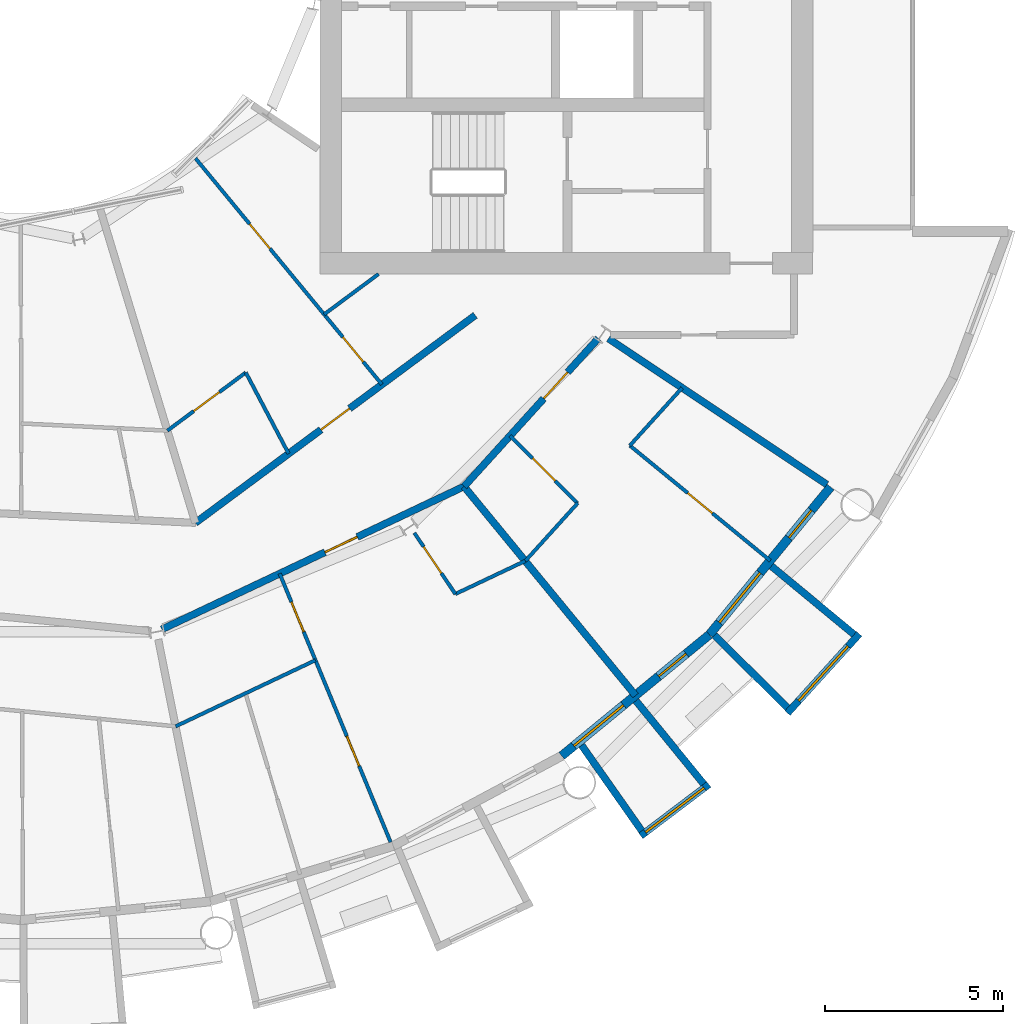
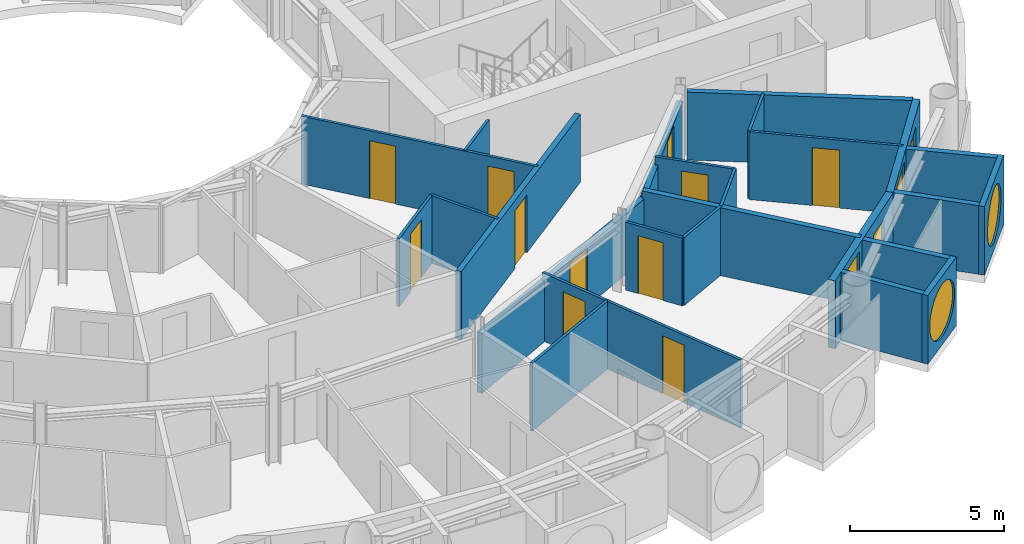
# One storey, part 17 of 27: 25 walls, 13 doors, 4 windows, 17 openings.
"""IFC4 building model written with IfcOpenShell, lengths in metres."""

from ifc_helpers import new_model, si_unit, direction, frame, frame_2d, origin, place, context, subcontext, project, spatial, rectangle, circle, extrude, material, layer, layer_set, type_object, element, fill, save


model = new_model("IFC4")

# Units and contexts
model_context = context("Model", 3, precision=1e-05, world=origin(), true_north=direction((0.0, 1.0)))
body_context = subcontext(model_context, "Body", "Model", "MODEL_VIEW")
ifc_project = project(units=[si_unit("LENGTHUNIT", "METRE"), si_unit("AREAUNIT", "SQUARE_METRE"), si_unit("VOLUMEUNIT", "CUBIC_METRE"), si_unit("PLANEANGLEUNIT", "RADIAN"), si_unit("MASSUNIT", "GRAM", prefix="KILO")], contexts=[model_context])

# Site, building, storey
site_placement = place(None, origin())
site = spatial("IfcSite", under=ifc_project, at=site_placement, CompositionType="ELEMENT")
building_placement = place(site_placement, origin())
building = spatial("IfcBuilding", under=site, at=building_placement, Name="Maasbend Ring Residences", CompositionType="ELEMENT")
storey_placement = place(building_placement, frame((0.0, 0.0, 114.699951171875)))
storey = spatial("IfcBuildingStorey", under=building, at=storey_placement, Name="L32", CompositionType="ELEMENT", Elevation=114.699951171875)

# Wall, opening, door
ifc_material_1 = material(Name="Concrete C30/37", Category="concrete")
ifc_layer_1 = layer(ifc_material_1, 0.199951171875)
ifc_layer_set_1 = layer_set([ifc_layer_1], Name="Concrete C30/37")
wall_type_1 = type_object("IfcWallType", Name="CORRIDOR WALL 200 CONCRETE", PredefinedType="PARTITIONING", material=ifc_layer_set_1)
wall_1_placement = place(storey_placement, frame((12.43408203125, -15.15087890625, 0.0), z_axis=(0.0, 0.0, 1.0), x_axis=(0.671481997275, 0.741020868354, 0.0)))
wall_1 = element("IfcWall", 1, at=wall_1_placement, inside=storey, type_object=wall_type_1, Name="U-L32-w011", PredefinedType="PARTITIONING", context=body_context, shape_type="SweptSolid", body=[
    extrude(rectangle(XDim=5.59619140625, YDim=0.199951171875, at=frame_2d((2.798095703125, 0.0))), origin(), (0.0, 0.0, 1.0), 2.39013671875),
])
opening_1_placement = place(wall_1_placement, frame((3.319091796875, 0.0, 0.0)))
opening_1 = element("IfcOpeningElement", 2, at=opening_1_placement, cuts=wall_1, Name="Opening D-3251", PredefinedType="OPENING", context=body_context, shape_type="SweptSolid", body=[
    extrude(rectangle(XDim=1.0, YDim=2.300048828125, at=frame_2d((0.5, 1.14990234375))), frame((0.0, 0.10986328125, 0.0), z_axis=(0.0, -1.0, 0.0), x_axis=(1.0, 0.0, 0.0)), (0.0, 0.0, 1.0), 0.219970703125),
])
ifc_material_2 = material(Name="Timber, fire-rated, painted", Category="wood")
door_type_1 = type_object("IfcDoorType", Name="FLAT ENTRANCE DOOR 1000 X 2300 FIRE-RATED", OperationType="NOTDEFINED", PredefinedType="DOOR", material=ifc_material_2)
door_1_placement = place(opening_1_placement, origin())
door_1 = element("IfcDoor", 3, at=door_1_placement, inside=storey, type_object=door_type_1, Name="D-3251", OperationType="SINGLE_SWING_RIGHT", OverallHeight=2.300048828125, OverallWidth=1.0, PredefinedType="DOOR", context=body_context, shape_type="SweptSolid", body=[
    extrude(rectangle(XDim=1.0, YDim=2.300048828125, at=frame_2d((0.5, 1.14990234375))), frame((0.0, 0.02490234375, 0.0), z_axis=(0.0, -1.0, 0.0), x_axis=(1.0, 0.0, 0.0)), (0.0, 0.0, 1.0), 0.050048828125),
])
fill(opening_1, door_1)

wall_2_placement = place(storey_placement, frame((3.967041015625, -19.155029296875, 0.0), z_axis=(0.0, 0.0, 1.0), x_axis=(0.904003983145, 0.427524032609, 0.0)))
wall_2 = element("IfcWall", 4, at=wall_2_placement, inside=storey, type_object=wall_type_1, Name="U-L32-w012", PredefinedType="PARTITIONING", context=body_context, shape_type="SweptSolid", body=[
    extrude(rectangle(XDim=9.370361328125, YDim=0.199951171875, at=frame_2d((4.68505859375, 0.0))), origin(), (0.0, 0.0, 1.0), 2.39013671875),
])
opening_2_placement = place(wall_2_placement, frame((5.055908203125, 0.0, 0.0)))
opening_2 = element("IfcOpeningElement", 5, at=opening_2_placement, cuts=wall_2, Name="Opening D-3246", PredefinedType="OPENING", context=body_context, shape_type="SweptSolid", body=[
    extrude(rectangle(XDim=1.0, YDim=2.300048828125, at=frame_2d((0.5, 1.14990234375))), frame((0.0, 0.10986328125, 0.0), z_axis=(0.0, -1.0, 0.0), x_axis=(1.0, 0.0, 0.0)), (0.0, 0.0, 1.0), 0.219970703125),
])
door_2_placement = place(opening_2_placement, origin())
door_2 = element("IfcDoor", 6, at=door_2_placement, inside=storey, type_object=door_type_1, Name="D-3246", OperationType="SINGLE_SWING_RIGHT", OverallHeight=2.300048828125, OverallWidth=1.0, PredefinedType="DOOR", context=body_context, shape_type="SweptSolid", body=[
    extrude(rectangle(XDim=1.0, YDim=2.300048828125, at=frame_2d((0.5, 1.14990234375))), frame((0.0, 0.02490234375, 0.0), z_axis=(0.0, -1.0, 0.0), x_axis=(1.0, 0.0, 0.0)), (0.0, 0.0, 1.0), 0.050048828125),
])
fill(opening_2, door_2)

wall_3_placement = place(storey_placement, frame((4.906005859375, -16.172119140625, 0.0), z_axis=(0.0, 0.0, 1.0), x_axis=(0.803191461888, 0.595720971219, 0.0)))
wall_3 = element("IfcWall", 7, at=wall_3_placement, inside=storey, type_object=wall_type_1, Name="U-L32-w017", PredefinedType="PARTITIONING", context=body_context, shape_type="SweptSolid", body=[
    extrude(rectangle(XDim=9.760009765625, YDim=0.199951171875, at=frame_2d((4.8798828125, 0.0))), origin(), (0.0, 0.0, 1.0), 2.699951171875),
])
opening_3_placement = place(wall_3_placement, frame((4.3798828125, 0.0, 0.0)))
opening_3 = element("IfcOpeningElement", 8, at=opening_3_placement, cuts=wall_3, Name="Opening D-3263", PredefinedType="OPENING", context=body_context, shape_type="SweptSolid", body=[
    extrude(rectangle(XDim=1.0, YDim=2.300048828125, at=frame_2d((0.5, 1.14990234375))), frame((0.0, 0.10986328125, 0.0), z_axis=(0.0, -1.0, 0.0), x_axis=(1.0, 0.0, 0.0)), (0.0, 0.0, 1.0), 0.219970703125),
])
door_3_placement = place(opening_3_placement, origin())
door_3 = element("IfcDoor", 9, at=door_3_placement, inside=storey, type_object=door_type_1, Name="D-3263", OperationType="SINGLE_SWING_LEFT", OverallHeight=2.300048828125, OverallWidth=1.0, PredefinedType="DOOR", context=body_context, shape_type="SweptSolid", body=[
    extrude(rectangle(XDim=1.0, YDim=2.300048828125, at=frame_2d((0.5, 1.14990234375))), frame((0.0, 0.02490234375, 0.0), z_axis=(0.0, -1.0, 0.0), x_axis=(1.0, 0.0, 0.0)), (0.0, 0.0, 1.0), 0.050048828125),
])
fill(opening_3, door_3)

# Wall, opening, window
ifc_material_3 = material(Name="Pale anodised aluminium panel", Category="aluminium")
ifc_layer_2 = layer(ifc_material_3, 0.199951171875)
ifc_layer_set_2 = layer_set([ifc_layer_2], Name="EW-BOX")
wall_type_2 = type_object("IfcWallType", Name="EW-BOX", PredefinedType="SOLIDWALL", material=ifc_layer_set_2)
wall_4_placement = place(storey_placement, frame((17.382080078125, -24.93994140625, -0.030029296875), z_axis=(0.0, 0.0, 1.0), x_axis=(0.797456837111, 0.603375996329, 0.0)))
wall_4 = element("IfcWall", 10, at=wall_4_placement, inside=storey, type_object=wall_type_2, Name="Box front S17", PredefinedType="SOLIDWALL", context=body_context, shape_type="SweptSolid", body=[
    extrude(rectangle(XDim=2.391357421875, YDim=0.199951171875, at=frame_2d((1.19580078125, 0.0))), origin(), (0.0, 0.0, 1.0), 2.72998046875),
])
opening_4_placement = place(wall_4_placement, frame((0.15576171875, 0.0, 0.330078125)))
opening_4 = element("IfcOpeningElement", 11, at=opening_4_placement, cuts=wall_4, Name="Opening W-RD", PredefinedType="OPENING", context=body_context, shape_type="SweptSolid", body=[
    extrude(circle(Radius=1.0400390625, at=frame_2d((1.0400390625, 1.0400390625))), frame((0.0, 0.10986328125, 0.0), z_axis=(0.0, -1.0, 0.0), x_axis=(1.0, 0.0, 0.0)), (0.0, 0.0, 1.0), 0.219970703125),
])
ifc_material_4 = material(Name="Aluminium and clear glass", Category="aluminium")
window_type_1 = type_object("IfcWindowType", Name="W-RD", PartitioningType="SINGLE_PANEL", PredefinedType="WINDOW", material=ifc_material_4)
window_1_placement = place(opening_4_placement, origin())
window_1 = element("IfcWindow", 12, at=window_1_placement, inside=storey, type_object=window_type_1, Name="Round window S17", OverallHeight=2.080078125, OverallWidth=2.080078125, PartitioningType="SINGLE_PANEL", PredefinedType="WINDOW", context=body_context, shape_type="SweptSolid", body=[
    extrude(circle(Radius=1.0400390625, at=frame_2d((1.0400390625, 1.0400390625))), frame((0.0, 0.030029296875, 0.0), z_axis=(0.0, -1.0, 0.0), x_axis=(1.0, 0.0, 0.0)), (0.0, 0.0, 1.0), 0.06005859375),
])
fill(opening_4, window_1)

# Walls
wall_5_placement = place(storey_placement, frame((15.72607421875, -22.402099609375, -0.030029296875), z_axis=(0.0, 0.0, 1.0), x_axis=(0.574826383135, -0.818275399393, 0.0)))
element("IfcWall", 13, at=wall_5_placement, inside=storey, type_object=wall_type_2, Name="Box side wall S17 left", PredefinedType="SOLIDWALL", context=body_context, shape_type="SweptSolid", body=[
    extrude(rectangle(XDim=2.92919921875, YDim=0.199951171875, at=frame_2d((1.464599609375, 0.0))), origin(), (0.0, 0.0, 1.0), 2.72998046875),
])
wall_6_placement = place(storey_placement, frame((17.24609375, -21.155029296875, -0.030029296875), z_axis=(0.0, 0.0, 1.0), x_axis=(0.631741648902, -0.775179004516, 0.0)))
element("IfcWall", 14, at=wall_6_placement, inside=storey, type_object=wall_type_2, Name="Box side wall S17 right", PredefinedType="SOLIDWALL", context=body_context, shape_type="SweptSolid", body=[
    extrude(rectangle(XDim=3.005859375, YDim=0.199951171875, at=frame_2d((1.5029296875, 0.0))), origin(), (0.0, 0.0, 1.0), 2.72998046875),
])

# Wall, opening, window
wall_7_placement = place(storey_placement, frame((21.492919921875, -21.5, -0.030029296875), z_axis=(0.0, 0.0, 1.0), x_axis=(0.671506829416, 0.740998365753, 0.0)))
wall_7 = element("IfcWall", 15, at=wall_7_placement, inside=storey, type_object=wall_type_2, Name="Box front S19", PredefinedType="SOLIDWALL", context=body_context, shape_type="SweptSolid", body=[
    extrude(rectangle(XDim=2.9931640625, YDim=0.199951171875, at=frame_2d((1.49658203125, 0.0))), origin(), (0.0, 0.0, 1.0), 2.72998046875),
])
opening_5_placement = place(wall_7_placement, frame((0.45654296875, 0.0, 0.330078125)))
opening_5 = element("IfcOpeningElement", 16, at=opening_5_placement, cuts=wall_7, Name="Opening W-RD", PredefinedType="OPENING", context=body_context, shape_type="SweptSolid", body=[
    extrude(circle(Radius=1.0400390625, at=frame_2d((1.0400390625, 1.0400390625))), frame((0.0, 0.10986328125, 0.0), z_axis=(0.0, -1.0, 0.0), x_axis=(1.0, 0.0, 0.0)), (0.0, 0.0, 1.0), 0.219970703125),
])
window_2_placement = place(opening_5_placement, origin())
window_2 = element("IfcWindow", 17, at=window_2_placement, inside=storey, type_object=window_type_1, Name="Round window S19", OverallHeight=2.080078125, OverallWidth=2.080078125, PartitioningType="SINGLE_PANEL", PredefinedType="WINDOW", context=body_context, shape_type="SweptSolid", body=[
    extrude(circle(Radius=1.0400390625, at=frame_2d((1.0400390625, 1.0400390625))), frame((0.0, 0.030029296875, 0.0), z_axis=(0.0, -1.0, 0.0), x_axis=(1.0, 0.0, 0.0)), (0.0, 0.0, 1.0), 0.06005859375),
])
fill(opening_5, window_2)

# Walls
wall_8_placement = place(storey_placement, frame((19.449951171875, -19.322998046875, -0.030029296875), z_axis=(0.0, 0.0, 1.0), x_axis=(0.709727076896, -0.704476739375, 0.0)))
element("IfcWall", 18, at=wall_8_placement, inside=storey, type_object=wall_type_2, Name="Box side wall S19 left", PredefinedType="SOLIDWALL", context=body_context, shape_type="SweptSolid", body=[
    extrude(rectangle(XDim=2.883056640625, YDim=0.199951171875, at=frame_2d((1.44140625, 0.0))), origin(), (0.0, 0.0, 1.0), 2.72998046875),
])
wall_9_placement = place(storey_placement, frame((21.041015625, -17.384033203125, -0.030029296875), z_axis=(0.0, 0.0, 1.0), x_axis=(0.770784861449, -0.63709551667, 0.0)))
element("IfcWall", 19, at=wall_9_placement, inside=storey, type_object=wall_type_2, Name="Box side wall S19 right", PredefinedType="SOLIDWALL", context=body_context, shape_type="SweptSolid", body=[
    extrude(rectangle(XDim=3.005859375, YDim=0.199951171875, at=frame_2d((1.5029296875, 0.0))), origin(), (0.0, 0.0, 1.0), 2.72998046875),
])

# Wall, openings, door, window
ifc_material_5 = material(Name="Aluminium clad insulated panel", Category="aluminium")
ifc_layer_3 = layer(ifc_material_5, 0.25)
ifc_layer_set_3 = layer_set([ifc_layer_3], Name="EW-GL")
wall_type_3 = type_object("IfcWallType", Name="EW-GL", PredefinedType="SOLIDWALL", material=ifc_layer_set_3)
wall_10_placement = place(storey_placement, frame((15.1669921875, -22.698974609375, 0.0), z_axis=(0.0, 0.0, 1.0), x_axis=(0.773019449054, 0.634382322723, 0.0)))
wall_10 = element("IfcWall", 20, at=wall_10_placement, inside=storey, type_object=wall_type_3, Name="External wall S09", PredefinedType="SOLIDWALL", context=body_context, shape_type="SweptSolid", body=[
    extrude(rectangle(XDim=5.351806640625, YDim=0.25, at=frame_2d((2.67578125, 0.0))), origin(), (0.0, 0.0, 1.0), 2.699951171875),
])
opening_6_placement = place(wall_10_placement, frame((0.441162109375, 0.0, 0.300048828125)))
opening_6 = element("IfcOpeningElement", 21, at=opening_6_placement, cuts=wall_10, Name="Opening W-BX", PredefinedType="OPENING", context=body_context, shape_type="SweptSolid", body=[
    extrude(rectangle(XDim=1.800048828125, YDim=2.10009765625, at=frame_2d((0.89990234375, 1.050048828125))), frame((0.0, 0.135009765625, 0.0), z_axis=(0.0, -1.0, 0.0), x_axis=(1.0, 0.0, 0.0)), (0.0, 0.0, 1.0), 0.27001953125),
])
opening_7_placement = place(wall_10_placement, frame((3.510498046875, 0.0, 0.0)))
opening_7 = element("IfcOpeningElement", 22, at=opening_7_placement, cuts=wall_10, Name="Opening D-LG", PredefinedType="OPENING", context=body_context, shape_type="SweptSolid", body=[
    extrude(rectangle(XDim=1.0, YDim=2.199951171875, at=frame_2d((0.5, 1.10009765625))), frame((0.0, 0.135009765625, 0.0), z_axis=(0.0, -1.0, 0.0), x_axis=(1.0, 0.0, 0.0)), (0.0, 0.0, 1.0), 0.27001953125),
])
ifc_material_6 = material(Name="Aluminium and clear glass", Category="aluminium")
door_type_2 = type_object("IfcDoorType", Name="D-LG", OperationType="SINGLE_SWING_LEFT", PredefinedType="DOOR", material=ifc_material_6)
door_4_placement = place(opening_7_placement, origin())
door_4 = element("IfcDoor", 23, at=door_4_placement, inside=storey, type_object=door_type_2, Name="Loggia door S18", OperationType="SINGLE_SWING_LEFT", OverallHeight=2.199951171875, OverallWidth=1.0, PredefinedType="DOOR", context=body_context, shape_type="SweptSolid", body=[
    extrude(rectangle(XDim=1.0, YDim=2.199951171875, at=frame_2d((0.5, 1.10009765625))), frame((0.0, 0.02490234375, 0.0), z_axis=(0.0, -1.0, 0.0), x_axis=(1.0, 0.0, 0.0)), (0.0, 0.0, 1.0), 0.050048828125),
])
fill(opening_7, door_4)
ifc_material_7 = material(Name="Aluminium and clear glass", Category="aluminium")
window_type_2 = type_object("IfcWindowType", Name="W-BX", PartitioningType="DOUBLE_PANEL_VERTICAL", PredefinedType="WINDOW", material=ifc_material_7)
window_3_placement = place(opening_6_placement, origin())
window_3 = element("IfcWindow", 24, at=window_3_placement, inside=storey, type_object=window_type_2, Name="Window S17 room to box", OverallHeight=2.10009765625, OverallWidth=1.800048828125, PartitioningType="SINGLE_PANEL", PredefinedType="WINDOW", context=body_context, shape_type="SweptSolid", body=[
    extrude(rectangle(XDim=1.800048828125, YDim=2.10009765625, at=frame_2d((0.89990234375, 1.050048828125))), frame((0.0, 0.030029296875, 0.0), z_axis=(0.0, -1.0, 0.0), x_axis=(1.0, 0.0, 0.0)), (0.0, 0.0, 1.0), 0.06005859375),
])
fill(opening_6, window_3)

wall_11_placement = place(storey_placement, frame((19.303955078125, -19.303955078125, 0.0), z_axis=(0.0, 0.0, 1.0), x_axis=(0.634382322723, 0.773019449054, 0.0)))
wall_11 = element("IfcWall", 25, at=wall_11_placement, inside=storey, type_object=wall_type_3, Name="External wall S10", PredefinedType="SOLIDWALL", context=body_context, shape_type="SweptSolid", body=[
    extrude(rectangle(XDim=5.351806640625, YDim=0.25, at=frame_2d((2.67578125, 0.0))), origin(), (0.0, 0.0, 1.0), 2.699951171875),
])
opening_8_placement = place(wall_11_placement, frame((0.441162109375, 0.0, 0.300048828125)))
opening_8 = element("IfcOpeningElement", 26, at=opening_8_placement, cuts=wall_11, Name="Opening W-BX", PredefinedType="OPENING", context=body_context, shape_type="SweptSolid", body=[
    extrude(rectangle(XDim=1.800048828125, YDim=2.10009765625, at=frame_2d((0.89990234375, 1.050048828125))), frame((0.0, 0.135009765625, 0.0), z_axis=(0.0, -1.0, 0.0), x_axis=(1.0, 0.0, 0.0)), (0.0, 0.0, 1.0), 0.27001953125),
])
opening_9_placement = place(wall_11_placement, frame((3.510498046875, 0.0, 0.0)))
opening_9 = element("IfcOpeningElement", 27, at=opening_9_placement, cuts=wall_11, Name="Opening D-LG", PredefinedType="OPENING", context=body_context, shape_type="SweptSolid", body=[
    extrude(rectangle(XDim=1.0, YDim=2.199951171875, at=frame_2d((0.5, 1.10009765625))), frame((0.0, 0.135009765625, 0.0), z_axis=(0.0, -1.0, 0.0), x_axis=(1.0, 0.0, 0.0)), (0.0, 0.0, 1.0), 0.27001953125),
])
door_5_placement = place(opening_9_placement, origin())
door_5 = element("IfcDoor", 28, at=door_5_placement, inside=storey, type_object=door_type_2, Name="Loggia door S20", OperationType="SINGLE_SWING_LEFT", OverallHeight=2.199951171875, OverallWidth=1.0, PredefinedType="DOOR", context=body_context, shape_type="SweptSolid", body=[
    extrude(rectangle(XDim=1.0, YDim=2.199951171875, at=frame_2d((0.5, 1.10009765625))), frame((0.0, 0.02490234375, 0.0), z_axis=(0.0, -1.0, 0.0), x_axis=(1.0, 0.0, 0.0)), (0.0, 0.0, 1.0), 0.050048828125),
])
fill(opening_9, door_5)
window_4_placement = place(opening_8_placement, origin())
window_4 = element("IfcWindow", 29, at=window_4_placement, inside=storey, type_object=window_type_2, Name="Window S19 room to box", OverallHeight=2.10009765625, OverallWidth=1.800048828125, PartitioningType="SINGLE_PANEL", PredefinedType="WINDOW", context=body_context, shape_type="SweptSolid", body=[
    extrude(rectangle(XDim=1.800048828125, YDim=2.10009765625, at=frame_2d((0.89990234375, 1.050048828125))), frame((0.0, 0.030029296875, 0.0), z_axis=(0.0, -1.0, 0.0), x_axis=(1.0, 0.0, 0.0)), (0.0, 0.0, 1.0), 0.06005859375),
])
fill(opening_8, window_4)

# Walls
ifc_material_8 = material(Name="Gypsum board on steel studs", Category="steel")
ifc_layer_4 = layer(ifc_material_8, 0.10009765625)
ifc_layer_set_4 = layer_set([ifc_layer_4], Name="PARTITION 100 GYPSUM")
wall_type_4 = type_object("IfcWallType", Name="PARTITION 100 GYPSUM", PredefinedType="PARTITIONING", material=ifc_layer_set_4)
wall_12_placement = place(storey_placement, frame((14.153076171875, -17.23388671875, 0.0), z_axis=(0.0, 0.0, 1.0), x_axis=(0.671144831591, 0.741326254107, 0.0)))
element("IfcWall", 30, at=wall_12_placement, inside=storey, type_object=wall_type_4, Name="U-L32-w001", PredefinedType="PARTITIONING", context=body_context, shape_type="SweptSolid", body=[
    extrude(rectangle(XDim=2.18115234375, YDim=0.10009765625, at=frame_2d((1.090576171875, 0.0))), origin(), (0.0, 0.0, 1.0), 2.699951171875),
])
wall_13_placement = place(storey_placement, frame((17.076904296875, -14.006103515625, 0.0), z_axis=(0.0, 0.0, 1.0), x_axis=(0.671396556615, 0.741098282123, 0.0)))
element("IfcWall", 31, at=wall_13_placement, inside=storey, type_object=wall_type_4, Name="U-L32-w002", PredefinedType="PARTITIONING", context=body_context, shape_type="SweptSolid", body=[
    extrude(rectangle(XDim=2.18212890625, YDim=0.10009765625, at=frame_2d((1.091064453125, 0.0))), origin(), (0.0, 0.0, 1.0), 2.699951171875),
])
wall_14_placement = place(storey_placement, frame((4.35205078125, -21.873046875, 0.0), z_axis=(0.0, 0.0, 1.0), x_axis=(0.903905215872, 0.427732814639, 0.0)))
element("IfcWall", 32, at=wall_14_placement, inside=storey, type_object=wall_type_4, Name="U-L32-w005", PredefinedType="PARTITIONING", context=body_context, shape_type="SweptSolid", body=[
    extrude(rectangle(XDim=4.33447265625, YDim=0.10009765625, at=frame_2d((2.167236328125, 0.0))), origin(), (0.0, 0.0, 1.0), 2.699951171875),
])
wall_15_placement = place(storey_placement, frame((12.18798828125, -18.1650390625, 0.0), z_axis=(0.0, 0.0, 1.0), x_axis=(0.903905215872, 0.427732814639, 0.0)))
element("IfcWall", 33, at=wall_15_placement, inside=storey, type_object=wall_type_4, Name="U-L32-w006", PredefinedType="PARTITIONING", context=body_context, shape_type="SweptSolid", body=[
    extrude(rectangle(XDim=2.167236328125, YDim=0.10009765625, at=frame_2d((1.08349609375, 0.0))), origin(), (0.0, 0.0, 1.0), 2.699951171875),
])

# Wall, opening, door
wall_16_placement = place(storey_placement, frame((4.1220703125, -13.589111328125, 0.0), z_axis=(0.0, 0.0, 1.0), x_axis=(0.803128348509, 0.595806055542, 0.0)))
wall_16 = element("IfcWall", 34, at=wall_16_placement, inside=storey, type_object=wall_type_4, Name="U-L32-w022", PredefinedType="PARTITIONING", context=body_context, shape_type="SweptSolid", body=[
    extrude(rectangle(XDim=2.734375, YDim=0.10009765625, at=frame_2d((1.3671875, 0.0))), origin(), (0.0, 0.0, 1.0), 2.699951171875),
])
opening_10_placement = place(wall_16_placement, frame((0.9169921875, 0.0, 0.0)))
opening_10 = element("IfcOpeningElement", 35, at=opening_10_placement, cuts=wall_16, Name="Opening D-3264", PredefinedType="OPENING", context=body_context, shape_type="SweptSolid", body=[
    extrude(rectangle(XDim=0.89990234375, YDim=2.300048828125, at=frame_2d((0.449951171875, 1.14990234375))), frame((0.0, 0.06005859375, 0.0), z_axis=(0.0, -1.0, 0.0), x_axis=(1.0, 0.0, 0.0)), (0.0, 0.0, 1.0), 0.1201171875),
])
ifc_material_9 = material(Name="Timber, painted", Category="wood")
door_type_3 = type_object("IfcDoorType", Name="INTERNAL DOOR 900 X 2300", OperationType="NOTDEFINED", PredefinedType="DOOR", material=ifc_material_9)
door_6_placement = place(opening_10_placement, origin())
door_6 = element("IfcDoor", 36, at=door_6_placement, inside=storey, type_object=door_type_3, Name="D-3264", OperationType="SINGLE_SWING_RIGHT", OverallHeight=2.300048828125, OverallWidth=0.89990234375, PredefinedType="DOOR", context=body_context, shape_type="SweptSolid", body=[
    extrude(rectangle(XDim=0.89990234375, YDim=2.300048828125, at=frame_2d((0.449951171875, 1.14990234375))), frame((0.0, 0.02490234375, 0.0), z_axis=(0.0, -1.0, 0.0), x_axis=(1.0, 0.0, 0.0)), (0.0, 0.0, 1.0), 0.050048828125),
])
fill(opening_10, door_6)

# Wall
wall_17_placement = place(storey_placement, frame((8.512939453125, -10.33203125, 0.0), z_axis=(0.0, 0.0, 1.0), x_axis=(0.803149591038, 0.595777420196, 0.0)))
element("IfcWall", 37, at=wall_17_placement, inside=storey, type_object=wall_type_4, Name="U-L32-w023", PredefinedType="PARTITIONING", context=body_context, shape_type="SweptSolid", body=[
    extrude(rectangle(XDim=1.900146484375, YDim=0.10009765625, at=frame_2d((0.9501953125, 0.0))), origin(), (0.0, 0.0, 1.0), 2.699951171875),
])

# Wall, openings, doors
wall_18_placement = place(storey_placement, frame((4.907958984375, -5.958984375, 0.0), z_axis=(0.0, 0.0, 1.0), x_axis=(0.636105207978, -0.771602335652, 0.0)))
wall_18 = element("IfcWall", 38, at=wall_18_placement, inside=storey, type_object=wall_type_4, Name="U-L32-w068", PredefinedType="PARTITIONING", context=body_context, shape_type="SweptSolid", body=[
    extrude(rectangle(XDim=8.212646484375, YDim=0.10009765625, at=frame_2d((4.1064453125, 0.0))), origin(), (0.0, 0.0, 1.0), 2.699951171875),
])
opening_11_placement = place(wall_18_placement, frame((6.489990234375, 0.0, 0.0)))
opening_11 = element("IfcOpeningElement", 39, at=opening_11_placement, cuts=wall_18, Name="Opening D-3265", PredefinedType="OPENING", context=body_context, shape_type="SweptSolid", body=[
    extrude(rectangle(XDim=0.89990234375, YDim=2.300048828125, at=frame_2d((0.449951171875, 1.14990234375))), frame((0.0, 0.06005859375, 0.0), z_axis=(0.0, -1.0, 0.0), x_axis=(1.0, 0.0, 0.0)), (0.0, 0.0, 1.0), 0.1201171875),
])
opening_12_placement = place(wall_18_placement, frame((2.384033203125, 0.0, 0.0)))
opening_12 = element("IfcOpeningElement", 40, at=opening_12_placement, cuts=wall_18, Name="Opening D-3266", PredefinedType="OPENING", context=body_context, shape_type="SweptSolid", body=[
    extrude(rectangle(XDim=0.89990234375, YDim=2.300048828125, at=frame_2d((0.449951171875, 1.14990234375))), frame((0.0, 0.06005859375, 0.0), z_axis=(0.0, -1.0, 0.0), x_axis=(1.0, 0.0, 0.0)), (0.0, 0.0, 1.0), 0.1201171875),
])
door_7_placement = place(opening_11_placement, origin())
door_7 = element("IfcDoor", 41, at=door_7_placement, inside=storey, type_object=door_type_3, Name="D-3265", OperationType="SINGLE_SWING_RIGHT", OverallHeight=2.300048828125, OverallWidth=0.89990234375, PredefinedType="DOOR", context=body_context, shape_type="SweptSolid", body=[
    extrude(rectangle(XDim=0.89990234375, YDim=2.300048828125, at=frame_2d((0.449951171875, 1.14990234375))), frame((0.0, 0.02490234375, 0.0), z_axis=(0.0, -1.0, 0.0), x_axis=(1.0, 0.0, 0.0)), (0.0, 0.0, 1.0), 0.050048828125),
])
fill(opening_11, door_7)
door_8_placement = place(opening_12_placement, origin())
door_8 = element("IfcDoor", 42, at=door_8_placement, inside=storey, type_object=door_type_3, Name="D-3266", OperationType="SINGLE_SWING_LEFT", OverallHeight=2.300048828125, OverallWidth=0.89990234375, PredefinedType="DOOR", context=body_context, shape_type="SweptSolid", body=[
    extrude(rectangle(XDim=0.89990234375, YDim=2.300048828125, at=frame_2d((0.449951171875, 1.14990234375))), frame((0.0, 0.02490234375, 0.0), z_axis=(0.0, -1.0, 0.0), x_axis=(1.0, 0.0, 0.0)), (0.0, 0.0, 1.0), 0.050048828125),
])
fill(opening_12, door_8)

# Wall
wall_19_placement = place(storey_placement, frame((6.318115234375, -11.9599609375, 0.0), z_axis=(0.0, 0.0, 1.0), x_axis=(0.467001992543, -0.884256263173, 0.0)))
element("IfcWall", 43, at=wall_19_placement, inside=storey, type_object=wall_type_4, Name="U-L32-w071", PredefinedType="PARTITIONING", context=body_context, shape_type="SweptSolid", body=[
    extrude(rectangle(XDim=2.571533203125, YDim=0.10009765625, at=frame_2d((1.28564453125, 0.0))), origin(), (0.0, 0.0, 1.0), 2.699951171875),
])

# Wall, openings, doors
wall_20_placement = place(storey_placement, frame((7.26806640625, -17.593994140625, 0.0), z_axis=(0.0, 0.0, 1.0), x_axis=(0.381763497026, -0.924260045841, 0.0)))
wall_20 = element("IfcWall", 44, at=wall_20_placement, inside=storey, type_object=wall_type_4, Name="U-L32-w074", PredefinedType="PARTITIONING", context=body_context, shape_type="SweptSolid", body=[
    extrude(rectangle(XDim=8.138427734375, YDim=0.10009765625, at=frame_2d((4.0693359375, 0.0))), origin(), (0.0, 0.0, 1.0), 2.699951171875),
])
opening_13_placement = place(wall_20_placement, frame((0.861083984375, 0.0, 0.0)))
opening_13 = element("IfcOpeningElement", 45, at=opening_13_placement, cuts=wall_20, Name="Opening D-3248", PredefinedType="OPENING", context=body_context, shape_type="SweptSolid", body=[
    extrude(rectangle(XDim=0.89990234375, YDim=2.300048828125, at=frame_2d((0.449951171875, 1.14990234375))), frame((0.0, 0.06005859375, 0.0), z_axis=(0.0, -1.0, 0.0), x_axis=(1.0, 0.0, 0.0)), (0.0, 0.0, 1.0), 0.1201171875),
])
opening_14_placement = place(wall_20_placement, frame((4.929931640625, 0.0, 0.0)))
opening_14 = element("IfcOpeningElement", 46, at=opening_14_placement, cuts=wall_20, Name="Opening D-3249", PredefinedType="OPENING", context=body_context, shape_type="SweptSolid", body=[
    extrude(rectangle(XDim=0.89990234375, YDim=2.300048828125, at=frame_2d((0.449951171875, 1.14990234375))), frame((0.0, 0.06005859375, 0.0), z_axis=(0.0, -1.0, 0.0), x_axis=(1.0, 0.0, 0.0)), (0.0, 0.0, 1.0), 0.1201171875),
])
door_9_placement = place(opening_13_placement, origin())
door_9 = element("IfcDoor", 47, at=door_9_placement, inside=storey, type_object=door_type_3, Name="D-3248", OperationType="SINGLE_SWING_LEFT", OverallHeight=2.300048828125, OverallWidth=0.89990234375, PredefinedType="DOOR", context=body_context, shape_type="SweptSolid", body=[
    extrude(rectangle(XDim=0.89990234375, YDim=2.300048828125, at=frame_2d((0.449951171875, 1.14990234375))), frame((0.0, 0.02490234375, 0.0), z_axis=(0.0, -1.0, 0.0), x_axis=(1.0, 0.0, 0.0)), (0.0, 0.0, 1.0), 0.050048828125),
])
fill(opening_13, door_9)
door_10_placement = place(opening_14_placement, origin())
door_10 = element("IfcDoor", 48, at=door_10_placement, inside=storey, type_object=door_type_3, Name="D-3249", OperationType="SINGLE_SWING_RIGHT", OverallHeight=2.300048828125, OverallWidth=0.89990234375, PredefinedType="DOOR", context=body_context, shape_type="SweptSolid", body=[
    extrude(rectangle(XDim=0.89990234375, YDim=2.300048828125, at=frame_2d((0.449951171875, 1.14990234375))), frame((0.0, 0.02490234375, 0.0), z_axis=(0.0, -1.0, 0.0), x_axis=(1.0, 0.0, 0.0)), (0.0, 0.0, 1.0), 0.050048828125),
])
fill(opening_14, door_10)

# Wall, opening, door
wall_21_placement = place(storey_placement, frame((11.041015625, -16.455078125, 0.0), z_axis=(0.0, 0.0, 1.0), x_axis=(0.557051175603, -0.830478168141, 0.0)))
wall_21 = element("IfcWall", 49, at=wall_21_placement, inside=storey, type_object=wall_type_4, Name="U-L32-w077", PredefinedType="PARTITIONING", context=body_context, shape_type="SweptSolid", body=[
    extrude(rectangle(XDim=2.05908203125, YDim=0.10009765625, at=frame_2d((1.029541015625, 0.0))), origin(), (0.0, 0.0, 1.0), 2.699951171875),
])
opening_15_placement = place(wall_21_placement, frame((0.4599609375, 0.0, 0.0)))
opening_15 = element("IfcOpeningElement", 50, at=opening_15_placement, cuts=wall_21, Name="Opening D-3247", PredefinedType="OPENING", context=body_context, shape_type="SweptSolid", body=[
    extrude(rectangle(XDim=0.89990234375, YDim=2.300048828125, at=frame_2d((0.449951171875, 1.14990234375))), frame((0.0, 0.06005859375, 0.0), z_axis=(0.0, -1.0, 0.0), x_axis=(1.0, 0.0, 0.0)), (0.0, 0.0, 1.0), 0.1201171875),
])
door_11_placement = place(opening_15_placement, origin())
door_11 = element("IfcDoor", 51, at=door_11_placement, inside=storey, type_object=door_type_3, Name="D-3247", OperationType="SINGLE_SWING_LEFT", OverallHeight=2.300048828125, OverallWidth=0.89990234375, PredefinedType="DOOR", context=body_context, shape_type="SweptSolid", body=[
    extrude(rectangle(XDim=0.89990234375, YDim=2.300048828125, at=frame_2d((0.449951171875, 1.14990234375))), frame((0.0, 0.02490234375, 0.0), z_axis=(0.0, -1.0, 0.0), x_axis=(1.0, 0.0, 0.0)), (0.0, 0.0, 1.0), 0.050048828125),
])
fill(opening_15, door_11)

wall_22_placement = place(storey_placement, frame((13.721923828125, -13.72998046875, 0.0), z_axis=(0.0, 0.0, 1.0), x_axis=(0.706741540154, -0.707471833659, 0.0)))
wall_22 = element("IfcWall", 52, at=wall_22_placement, inside=storey, type_object=wall_type_4, Name="U-L32-w081", PredefinedType="PARTITIONING", context=body_context, shape_type="SweptSolid", body=[
    extrude(rectangle(XDim=2.67431640625, YDim=0.10009765625, at=frame_2d((1.337158203125, 0.0))), origin(), (0.0, 0.0, 1.0), 2.699951171875),
])
opening_16_placement = place(wall_22_placement, frame((0.886962890625, 0.0, 0.0)))
opening_16 = element("IfcOpeningElement", 53, at=opening_16_placement, cuts=wall_22, Name="Opening D-3252", PredefinedType="OPENING", context=body_context, shape_type="SweptSolid", body=[
    extrude(rectangle(XDim=0.89990234375, YDim=2.300048828125, at=frame_2d((0.449951171875, 1.14990234375))), frame((0.0, 0.06005859375, 0.0), z_axis=(0.0, -1.0, 0.0), x_axis=(1.0, 0.0, 0.0)), (0.0, 0.0, 1.0), 0.1201171875),
])
door_12_placement = place(opening_16_placement, origin())
door_12 = element("IfcDoor", 54, at=door_12_placement, inside=storey, type_object=door_type_3, Name="D-3252", OperationType="SINGLE_SWING_RIGHT", OverallHeight=2.300048828125, OverallWidth=0.89990234375, PredefinedType="DOOR", context=body_context, shape_type="SweptSolid", body=[
    extrude(rectangle(XDim=0.89990234375, YDim=2.300048828125, at=frame_2d((0.449951171875, 1.14990234375))), frame((0.0, 0.02490234375, 0.0), z_axis=(0.0, -1.0, 0.0), x_axis=(1.0, 0.0, 0.0)), (0.0, 0.0, 1.0), 0.050048828125),
])
fill(opening_16, door_12)

wall_23_placement = place(storey_placement, frame((17.076904296875, -14.006103515625, 0.0), z_axis=(0.0, 0.0, 1.0), x_axis=(0.77326214499, -0.634086472908, 0.0)))
wall_23 = element("IfcWall", 55, at=wall_23_placement, inside=storey, type_object=wall_type_4, Name="U-L32-w085", PredefinedType="PARTITIONING", context=body_context, shape_type="SweptSolid", body=[
    extrude(rectangle(XDim=5.0888671875, YDim=0.10009765625, at=frame_2d((2.54443359375, 0.0))), origin(), (0.0, 0.0, 1.0), 2.699951171875),
])
opening_17_placement = place(wall_23_placement, frame((2.093994140625, 0.0, 0.0)))
opening_17 = element("IfcOpeningElement", 56, at=opening_17_placement, cuts=wall_23, Name="Opening D-3253", PredefinedType="OPENING", context=body_context, shape_type="SweptSolid", body=[
    extrude(rectangle(XDim=0.89990234375, YDim=2.300048828125, at=frame_2d((0.449951171875, 1.14990234375))), frame((0.0, 0.06005859375, 0.0), z_axis=(0.0, -1.0, 0.0), x_axis=(1.0, 0.0, 0.0)), (0.0, 0.0, 1.0), 0.1201171875),
])
door_13_placement = place(opening_17_placement, origin())
door_13 = element("IfcDoor", 57, at=door_13_placement, inside=storey, type_object=door_type_3, Name="D-3253", OperationType="SINGLE_SWING_LEFT", OverallHeight=2.300048828125, OverallWidth=0.89990234375, PredefinedType="DOOR", context=body_context, shape_type="SweptSolid", body=[
    extrude(rectangle(XDim=0.89990234375, YDim=2.300048828125, at=frame_2d((0.449951171875, 1.14990234375))), frame((0.0, 0.02490234375, 0.0), z_axis=(0.0, -1.0, 0.0), x_axis=(1.0, 0.0, 0.0)), (0.0, 0.0, 1.0), 0.050048828125),
])
fill(opening_17, door_13)

# Walls
ifc_material_10 = material(Name="Concrete C30/37", Category="concrete")
ifc_layer_5 = layer(ifc_material_10, 0.199951171875)
ifc_layer_set_5 = layer_set([ifc_layer_5], Name="Concrete C30/37")
wall_type_5 = type_object("IfcWallType", Name="PARTY WALL 200 CONCRETE", PredefinedType="PARTITIONING", material=ifc_layer_set_5)
wall_24_placement = place(storey_placement, frame((12.431884765625, -15.152099609375, 0.0), z_axis=(0.0, 0.0, 1.0), x_axis=(0.634353152115, -0.77304338714, 0.0)))
element("IfcWall", 58, at=wall_24_placement, inside=storey, type_object=wall_type_5, Name="U-L32-w080", PredefinedType="PARTITIONING", context=body_context, shape_type="SweptSolid", body=[
    extrude(rectangle(XDim=7.576416015625, YDim=0.199951171875, at=frame_2d((3.7880859375, 0.0))), origin(), (0.0, 0.0, 1.0), 2.699951171875),
])
wall_25_placement = place(storey_placement, frame((16.47705078125, -11.009033203125, 0.0), z_axis=(0.0, 0.0, 1.0), x_axis=(0.831467903109, -0.555572791, 0.0)))
element("IfcWall", 59, at=wall_25_placement, inside=storey, type_object=wall_type_5, Name="U-L32-w083", PredefinedType="PARTITIONING", context=body_context, shape_type="SweptSolid", body=[
    extrude(rectangle(XDim=7.35791015625, YDim=0.199951171875, at=frame_2d((3.678955078125, 0.0))), origin(), (0.0, 0.0, 1.0), 2.699951171875),
])

save(model, "model.ifc")
